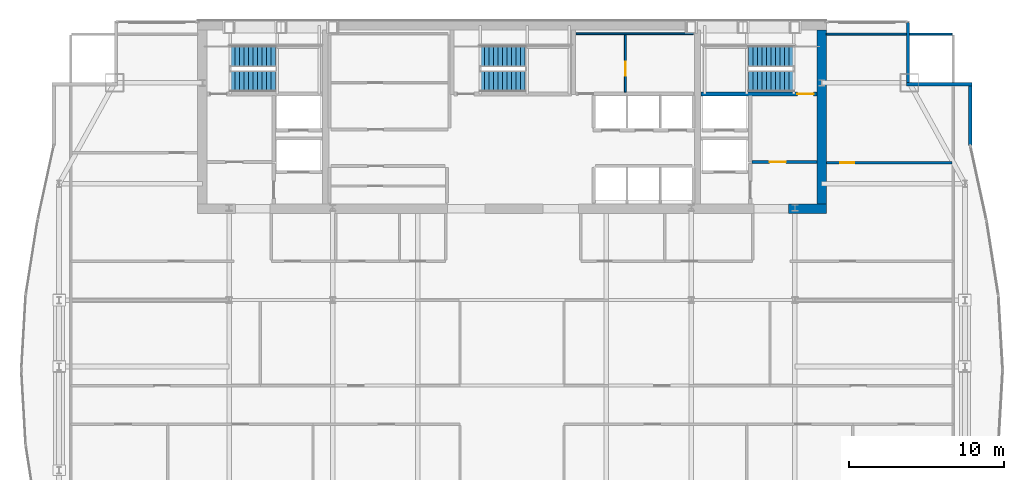
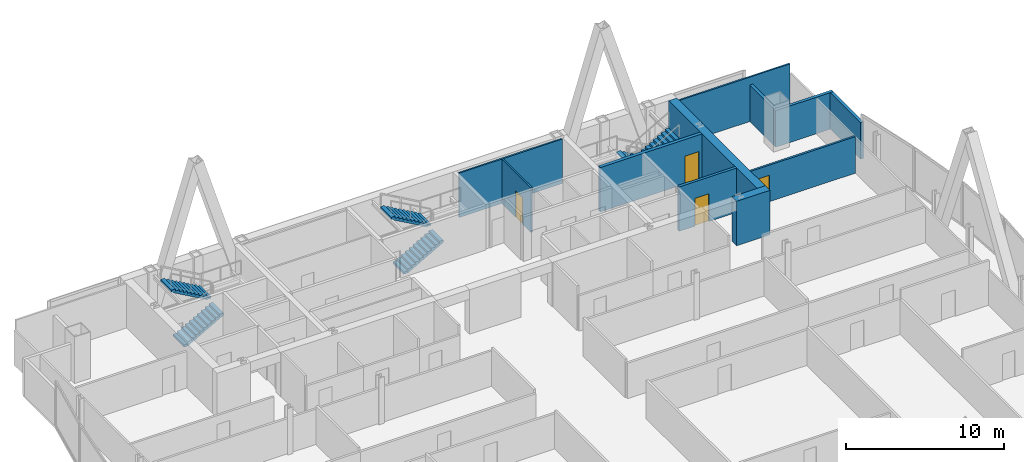
# One storey, part 31 of 33: 11 walls, 6 stair flights, 4 doors, 4 openings, 3 elements without a shape of their own.
"""IFC4 building model written with IfcOpenShell, lengths in metres."""

from ifc_helpers import new_model, si_unit, direction, frame, frame_2d, origin, place, context, subcontext, project, spatial, polyline, rectangle, outline, extrude, material, layer, layer_set, type_object, element, fill, aggregate, save


model = new_model("IFC4")

# Units and contexts
model_context = context("Model", 3, precision=1e-05, world=origin(), true_north=direction((0.0, 1.0)))
body_context = subcontext(model_context, "Body", "Model", "MODEL_VIEW")
ifc_project = project(units=[si_unit("LENGTHUNIT", "METRE"), si_unit("AREAUNIT", "SQUARE_METRE"), si_unit("VOLUMEUNIT", "CUBIC_METRE"), si_unit("PLANEANGLEUNIT", "RADIAN"), si_unit("MASSUNIT", "GRAM", prefix="KILO")], contexts=[model_context])

# Site, building, storey
site_placement = place(None, origin())
site = spatial("IfcSite", under=ifc_project, at=site_placement, CompositionType="ELEMENT")
building_placement = place(site_placement, origin())
building = spatial("IfcBuilding", under=site, at=building_placement, Name="Khoronbel Lancet Exchange", CompositionType="ELEMENT")
storey_placement = place(building_placement, frame((0.0, 0.0, 210.199951171875)))
storey = spatial("IfcBuildingStorey", under=building, at=storey_placement, Name="L53", CompositionType="ELEMENT", Elevation=210.199951171875)

# Walls
ifc_material_1 = material(Name="Concrete C60/75", Category="concrete")
ifc_layer_1 = layer(ifc_material_1, 0.60009765625, Name="Concrete C60/75")
ifc_layer_set_1 = layer_set([ifc_layer_1], Name="Concrete C60/75")
wall_type_1 = type_object("IfcWallType", Name="WL-CW3", PredefinedType="SHEAR", material=ifc_layer_set_1)
wall_1_placement = place(storey_placement, frame((56.39990234375, 53.10009765625, 0.0), z_axis=(0.0, 0.0, 1.0), x_axis=(0.0, -1.0, 0.0)))
element("IfcWall", 1, at=wall_1_placement, inside=storey, type_object=wall_type_1, Name="Level L53 rear core east shear wall", PredefinedType="SHEAR", context=body_context, shape_type="SweptSolid", body=[
    extrude(rectangle(XDim=11.2001953125, YDim=0.60009765625, at=frame_2d((5.60009765625, 0.0))), origin(), (0.0, 0.0, 1.0), 3.43994140625),
])
wall_2_placement = place(storey_placement, frame((56.699951171875, 41.60009765625, 0.0), z_axis=(0.0, 0.0, 1.0), x_axis=(-1.0, 0.0, 0.0)))
element("IfcWall", 2, at=wall_2_placement, inside=storey, type_object=wall_type_1, Name="Level L53 rear core south shear wall pier P5", PredefinedType="SHEAR", context=body_context, shape_type="SweptSolid", body=[
    extrude(rectangle(XDim=2.449951171875, YDim=0.60009765625, at=frame_2d((1.22509765625, 0.0))), origin(), (0.0, 0.0, 1.0), 3.43994140625),
])
ifc_material_2 = material(Name="Precast concrete C40/50", Category="concrete")
ifc_layer_2 = layer(ifc_material_2, 0.25, Name="Precast concrete C40/50")
ifc_layer_set_2 = layer_set([ifc_layer_2], Name="Precast concrete C40/50")
wall_type_2 = type_object("IfcWallType", Name="WL-EXT250", PredefinedType="SOLIDWALL", material=ifc_layer_set_2)
wall_3_placement = place(storey_placement, frame((61.9599609375, 53.6298828125, 0.0), z_axis=(0.0, 0.0, 1.0), x_axis=(0.0, -1.0, 0.0)))
element("IfcWall", 3, at=wall_3_placement, inside=storey, type_object=wall_type_2, Name="Level L53 notched-corner limestone pier 14", PredefinedType="SOLIDWALL", context=body_context, shape_type="SweptSolid", body=[
    extrude(rectangle(XDim=3.909912109375, YDim=0.219970703125, at=frame_2d((1.955078125, 0.0))), origin(), (0.0, 0.0, 1.0), 2.830078125),
])
wall_4_placement = place(storey_placement, frame((61.85009765625, 49.610107421875, 0.0), z_axis=(0.0, 0.0, 1.0), x_axis=(1.0, 0.0, 0.0)))
element("IfcWall", 4, at=wall_4_placement, inside=storey, type_object=wall_type_2, Name="Level L53 notched-corner limestone pier 15", PredefinedType="SOLIDWALL", context=body_context, shape_type="SweptSolid", body=[
    extrude(rectangle(XDim=4.219970703125, YDim=0.219970703125, at=frame_2d((2.10986328125, 0.0))), origin(), (0.0, 0.0, 1.0), 2.830078125),
])
wall_5_placement = place(storey_placement, frame((65.9599609375, 49.5, 0.0), z_axis=(0.0, 0.0, 1.0), x_axis=(0.0, -1.0, 0.0)))
element("IfcWall", 5, at=wall_5_placement, inside=storey, type_object=wall_type_2, Name="Level L53 notched-corner limestone pier 16", PredefinedType="SOLIDWALL", context=body_context, shape_type="SweptSolid", body=[
    extrude(rectangle(XDim=3.82958984375, YDim=0.219970703125, at=frame_2d((1.914794921875, 0.0))), origin(), (0.0, 0.0, 1.0), 2.830078125),
])

# Wall, opening, door
ifc_material_3 = material(Name="Acoustic Metal-Stud & Mineral-Wool Gypsum Partition 120 mm", Category="gypsum")
ifc_layer_3 = layer(ifc_material_3, 0.1201171875, Name="Acoustic Metal-Stud & Mineral-Wool Gypsum Partition 120 mm")
ifc_layer_set_3 = layer_set([ifc_layer_3], Name="Acoustic Metal-Stud & Mineral-Wool Gypsum Partition 120 mm")
wall_type_3 = type_object("IfcWallType", Name="WL-PRT120", PredefinedType="PARTITIONING", material=ifc_layer_set_3)
wall_6_placement = place(storey_placement, frame((56.699951171875, 44.56005859375, 0.0), z_axis=(0.0, 0.0, 1.0), x_axis=(1.0, 0.0, 0.0)))
wall_6 = element("IfcWall", 6, at=wall_6_placement, inside=storey, type_object=wall_type_3, Name="Level L53 interior partition PW-NE-H", PredefinedType="PARTITIONING", context=body_context, shape_type="SweptSolid", body=[
    extrude(rectangle(XDim=8.10498046875, YDim=0.14990234375, at=frame_2d((4.052490234375, 0.0))), origin(), (0.0, 0.0, 1.0), 2.830078125),
])
opening_1_placement = place(wall_6_placement, frame((0.89990234375, 0.0, 0.0)))
opening_1 = element("IfcOpeningElement", 7, at=opening_1_placement, cuts=wall_6, Name="Opening D5", PredefinedType="OPENING", context=body_context, shape_type="SweptSolid", body=[
    extrude(rectangle(XDim=0.89990234375, YDim=2.050048828125, at=frame_2d((0.449951171875, 1.02490234375))), frame((0.0, 0.0849609375, 0.0), z_axis=(0.0, -1.0, 0.0), x_axis=(1.0, 0.0, 0.0)), (0.0, 0.0, 1.0), 0.169921875),
])
ifc_material_4 = material(Name="Acoustic Timber Pantry & Support Door", Category="wood")
door_type_1 = type_object("IfcDoorType", Name="DR-D5", OperationType="NOTDEFINED", PredefinedType="DOOR", material=ifc_material_4)
door_1_placement = place(opening_1_placement, origin())
door_1 = element("IfcDoor", 8, at=door_1_placement, inside=storey, type_object=door_type_1, Name="NE north room door L53-1", OperationType="SINGLE_SWING_RIGHT", OverallHeight=2.050048828125, OverallWidth=0.89990234375, PredefinedType="DOOR", context=body_context, shape_type="SweptSolid", body=[
    extrude(rectangle(XDim=0.89990234375, YDim=2.050048828125, at=frame_2d((0.449951171875, 1.02490234375))), frame((0.0, 0.02490234375, 0.0), z_axis=(0.0, -1.0, 0.0), x_axis=(1.0, 0.0, 0.0)), (0.0, 0.0, 1.0), 0.050048828125),
])
fill(opening_1, door_1)

# Walls
wall_7_placement = place(storey_placement, frame((56.699951171875, 52.840087890625, 0.0), z_axis=(0.0, 0.0, 1.0), x_axis=(1.0, 0.0, 0.0)))
element("IfcWall", 9, at=wall_7_placement, inside=storey, type_object=wall_type_3, Name="Level L53 interior partition PW-LIN-NE", PredefinedType="PARTITIONING", context=body_context, shape_type="SweptSolid", body=[
    extrude(rectangle(XDim=8.10498046875, YDim=0.1201171875, at=frame_2d((4.052490234375, 0.0))), origin(), (0.0, 0.0, 1.0), 3.43994140625),
])
ifc_material_5 = material(Name="Fire-Rated Metal-Stud & Mineral-Wool Gypsum Partition 120 mm", Category="gypsum")
ifc_layer_4 = layer(ifc_material_5, 0.1201171875, Name="Fire-Rated Metal-Stud & Mineral-Wool Gypsum Partition 120 mm")
ifc_layer_set_4 = layer_set([ifc_layer_4], Name="Fire-Rated Metal-Stud & Mineral-Wool Gypsum Partition 120 mm")
wall_type_4 = type_object("IfcWallType", Name="WL-PRT120F", PredefinedType="PARTITIONING", material=ifc_layer_set_4)
wall_8_placement = place(storey_placement, frame((40.580078125, 52.860107421875, 0.0), z_axis=(0.0, 0.0, 1.0), x_axis=(1.0, 0.0, 0.0)))
element("IfcWall", 10, at=wall_8_placement, inside=storey, type_object=wall_type_4, Name="Level L53 interior partition CW-SUP-NE-N", PredefinedType="PARTITIONING", context=body_context, shape_type="SweptSolid", body=[
    extrude(rectangle(XDim=7.559814453125, YDim=0.1201171875, at=frame_2d((3.77978515625, 0.0))), origin(), (0.0, 0.0, 1.0), 3.43994140625),
])

# Wall, opening, door
wall_9_placement = place(storey_placement, frame((43.755126953125, 49.10498046875, 0.0), z_axis=(0.0, 0.0, 1.0), x_axis=(0.0, 1.0, 0.0)))
wall_9 = element("IfcWall", 11, at=wall_9_placement, inside=storey, type_object=wall_type_4, Name="Level L53 interior partition CW-SUP-NE-M", PredefinedType="PARTITIONING", context=body_context, shape_type="SweptSolid", body=[
    extrude(rectangle(XDim=3.68994140625, YDim=0.1201171875, at=frame_2d((1.844970703125, 0.0))), origin(), (0.0, 0.0, 1.0), 3.43994140625),
])
opening_2_placement = place(wall_9_placement, frame((1.050048828125, 0.0, 0.0)))
opening_2 = element("IfcOpeningElement", 12, at=opening_2_placement, cuts=wall_9, Name="Opening FD4", PredefinedType="OPENING", context=body_context, shape_type="SweptSolid", body=[
    extrude(rectangle(XDim=0.89990234375, YDim=2.050048828125, at=frame_2d((0.449951171875, 1.02490234375))), frame((0.0, 0.070068359375, 0.0), z_axis=(0.0, -1.0, 0.0), x_axis=(1.0, 0.0, 0.0)), (0.0, 0.0, 1.0), 0.14013671875),
])
ifc_material_6 = material(Name="Fire-Rated Steel Core Support Door Assembly", Category="steel")
door_type_2 = type_object("IfcDoorType", Name="DR-FD4", OperationType="NOTDEFINED", PredefinedType="DOOR", material=ifc_material_6)
door_2_placement = place(opening_2_placement, origin())
door_2 = element("IfcDoor", 13, at=door_2_placement, inside=storey, type_object=door_type_2, Name="Core NE inner support door L53-1", OperationType="SINGLE_SWING_LEFT", OverallHeight=2.050048828125, OverallWidth=0.89990234375, PredefinedType="DOOR", context=body_context, shape_type="SweptSolid", body=[
    extrude(rectangle(XDim=0.89990234375, YDim=2.050048828125, at=frame_2d((0.449951171875, 1.02490234375))), frame((0.0, 0.02490234375, 0.0), z_axis=(0.0, -1.0, 0.0), x_axis=(1.0, 0.0, 0.0)), (0.0, 0.0, 1.0), 0.050048828125),
])
fill(opening_2, door_2)

ifc_material_7 = material(Name="Autoclaved Aerated Concrete Blockwork 200 mm", Category="masonry")
ifc_layer_5 = layer(ifc_material_7, 0.199951171875, Name="Autoclaved Aerated Concrete Blockwork 200 mm")
ifc_layer_set_5 = layer_set([ifc_layer_5], Name="Autoclaved Aerated Concrete Blockwork 200 mm")
wall_type_5 = type_object("IfcWallType", Name="WL-PRT200", PredefinedType="PARTITIONING", material=ifc_layer_set_5)
wall_10_placement = place(storey_placement, frame((51.89990234375, 44.60009765625, 0.0), z_axis=(0.0, 0.0, 1.0), x_axis=(1.0, 0.0, 0.0)))
wall_10 = element("IfcWall", 14, at=wall_10_placement, inside=storey, type_object=wall_type_5, Name="Level L53 interior partition CW-FFLE-S", PredefinedType="PARTITIONING", context=body_context, shape_type="SweptSolid", body=[
    extrude(rectangle(XDim=4.2001953125, YDim=0.199951171875, at=frame_2d((2.10009765625, 0.0))), origin(), (0.0, 0.0, 1.0), 3.43994140625),
])
opening_3_placement = place(wall_10_placement, frame((1.14990234375, 0.0, 0.0)))
opening_3 = element("IfcOpeningElement", 15, at=opening_3_placement, cuts=wall_10, Name="Opening FD1", PredefinedType="OPENING", context=body_context, shape_type="SweptSolid", body=[
    extrude(rectangle(XDim=1.050048828125, YDim=2.14990234375, at=frame_2d((0.52490234375, 1.074951171875))), frame((0.0, 0.10986328125, 0.0), z_axis=(0.0, -1.0, 0.0), x_axis=(1.0, 0.0, 0.0)), (0.0, 0.0, 1.0), 0.219970703125),
])
ifc_material_8 = material(Name="Fire-Rated Painted Steel Door Assembly", Category="steel")
door_type_3 = type_object("IfcDoorType", Name="DR-FD1", OperationType="NOTDEFINED", PredefinedType="DOOR", material=ifc_material_8)
door_3_placement = place(opening_3_placement, origin())
door_3 = element("IfcDoor", 16, at=door_3_placement, inside=storey, type_object=door_type_3, Name="East firefighting lobby FD90S door L53-1", OperationType="SINGLE_SWING_RIGHT", OverallHeight=2.14990234375, OverallWidth=1.050048828125, PredefinedType="DOOR", context=body_context, shape_type="SweptSolid", body=[
    extrude(rectangle(XDim=1.050048828125, YDim=2.14990234375, at=frame_2d((0.52490234375, 1.074951171875))), frame((0.0, 0.02490234375, 0.0), z_axis=(0.0, -1.0, 0.0), x_axis=(1.0, 0.0, 0.0)), (0.0, 0.0, 1.0), 0.050048828125),
])
fill(opening_3, door_3)

ifc_layer_6 = layer(ifc_material_1, 0.260009765625, Name="Concrete C60/75")
ifc_layer_set_6 = layer_set([ifc_layer_6], Name="Concrete C60/75")
wall_type_6 = type_object("IfcWallType", Name="WL-SW3", PredefinedType="SHEAR", material=ifc_layer_set_6)
wall_11_placement = place(storey_placement, frame((48.6298828125, 48.97998046875, 0.0), z_axis=(0.0, 0.0, 1.0), x_axis=(1.0, 0.0, 0.0)))
wall_11 = element("IfcWall", 17, at=wall_11_placement, inside=storey, type_object=wall_type_6, Name="Level L53 east stairwell structural south wall", PredefinedType="SHEAR", context=body_context, shape_type="SweptSolid", body=[
    extrude(rectangle(XDim=7.47021484375, YDim=0.239990234375, at=frame_2d((3.735107421875, 0.0))), origin(), (0.0, 0.0, 1.0), 3.43994140625),
])
opening_4_placement = place(wall_11_placement, frame((6.199951171875, 0.0, 0.0)))
opening_4 = element("IfcOpeningElement", 18, at=opening_4_placement, cuts=wall_11, Name="Opening SD1", PredefinedType="OPENING", context=body_context, shape_type="SweptSolid", body=[
    extrude(rectangle(XDim=1.050048828125, YDim=2.14990234375, at=frame_2d((0.52490234375, 1.074951171875))), frame((0.0, 0.1298828125, 0.0), z_axis=(0.0, -1.0, 0.0), x_axis=(1.0, 0.0, 0.0)), (0.0, 0.0, 1.0), 0.260009765625),
])
ifc_material_9 = material(Name="Fire-Rated Steel Stairwell Door Assembly", Category="steel")
door_type_4 = type_object("IfcDoorType", Name="DR-SD1", OperationType="NOTDEFINED", PredefinedType="DOOR", material=ifc_material_9)
door_4_placement = place(opening_4_placement, origin())
door_4 = element("IfcDoor", 19, at=door_4_placement, inside=storey, type_object=door_type_4, Name="Protected exit stair ST2 door L53", OperationType="SINGLE_SWING_RIGHT", OverallHeight=2.14990234375, OverallWidth=1.050048828125, PredefinedType="DOOR", context=body_context, shape_type="SweptSolid", body=[
    extrude(rectangle(XDim=1.050048828125, YDim=2.14990234375, at=frame_2d((0.52490234375, 1.074951171875))), frame((0.0, 0.02490234375, 0.0), z_axis=(0.0, -1.0, 0.0), x_axis=(1.0, 0.0, 0.0)), (0.0, 0.0, 1.0), 0.050048828125),
])
fill(opening_4, door_4)

# Stair, stair flights
ifc_material_10 = material(Name="Concrete C40/50", Category="concrete")
stair_type = type_object("IfcStairType", Name="STR-CORE150", PredefinedType="HALF_TURN_STAIR", material=ifc_material_10)
stair_1_placement = place(storey_placement, origin())
stair_1 = element("IfcStair", 20, at=stair_1_placement, inside=storey, type_object=stair_type, Name="L53 Protected Exit Stair ST1", PredefinedType="HALF_TURN_STAIR")
stair_flight_type = type_object("IfcStairFlightType", Name="STF-150", PredefinedType="STRAIGHT", material=ifc_material_10)
stair_flight_1_placement = place(storey_placement, frame((18.300048828125, 49.81005859375, 0.0), z_axis=(0.0, 0.0, 1.0), x_axis=(1.0, 0.0, 0.0)))
stair_flight_1 = element("IfcStairFlight", 21, at=stair_flight_1_placement, type_object=stair_flight_type, Name="ST1 flight 1", NumberOfRisers=11, NumberOfTreads=10, PredefinedType="STRAIGHT", RiserHeight=0.163636364, TreadLength=0.29, context=body_context, shape_type="SweptSolid", body=[
    extrude(outline(polyline([(0.0, 0.0), (0.0, 0.16357421875), (0.2900390625, 0.16357421875), (0.2900390625, 0.327392578125), (0.580078125, 0.327392578125), (0.580078125, 0.490966796875), (0.8701171875, 0.490966796875), (0.8701171875, 0.654541015625), (1.159912109375, 0.654541015625), (1.159912109375, 0.818115234375), (1.449951171875, 0.818115234375), (1.449951171875, 0.98193359375), (1.739990234375, 0.98193359375), (1.739990234375, 1.1455078125), (2.030029296875, 1.1455078125), (2.030029296875, 1.30908203125), (2.320068359375, 1.30908203125), (2.320068359375, 1.47265625), (2.610107421875, 1.47265625), (2.610107421875, 1.636474609375), (2.89990234375, 1.636474609375), (2.89990234375, 1.800048828125), (2.89990234375, 1.46435546875), (0.304931640625, 0.0), (0.0, 0.0)])), frame((0.0, 0.68994140625, 0.0), z_axis=(0.0, -1.0, 0.0), x_axis=(1.0, 0.0, 0.0)), (0.0, 0.0, 1.0), 1.3798828125),
])
stair_flight_2_placement = place(storey_placement, frame((21.199951171875, 51.409912109375, 1.800048828125), z_axis=(0.0, 0.0, 1.0), x_axis=(-1.0, 0.0, 0.0)))
stair_flight_2 = element("IfcStairFlight", 22, at=stair_flight_2_placement, type_object=stair_flight_type, Name="ST1 flight 2", NumberOfRisers=11, NumberOfTreads=10, PredefinedType="STRAIGHT", RiserHeight=0.163636364, TreadLength=0.29, context=body_context, shape_type="SweptSolid", body=[
    extrude(outline(polyline([(0.0, 0.0), (0.0, 0.16357421875), (0.2900390625, 0.16357421875), (0.2900390625, 0.327392578125), (0.580078125, 0.327392578125), (0.580078125, 0.490966796875), (0.8701171875, 0.490966796875), (0.8701171875, 0.654541015625), (1.159912109375, 0.654541015625), (1.159912109375, 0.818115234375), (1.449951171875, 0.818115234375), (1.449951171875, 0.98193359375), (1.739990234375, 0.98193359375), (1.739990234375, 1.1455078125), (2.030029296875, 1.1455078125), (2.030029296875, 1.30908203125), (2.320068359375, 1.30908203125), (2.320068359375, 1.47265625), (2.610107421875, 1.47265625), (2.610107421875, 1.636474609375), (2.89990234375, 1.636474609375), (2.89990234375, 1.800048828125), (2.89990234375, 1.46435546875), (0.304931640625, 0.0), (0.0, 0.0)])), frame((0.0, 0.68994140625, 0.0), z_axis=(0.0, -1.0, 0.0), x_axis=(1.0, 0.0, 0.0)), (0.0, 0.0, 1.0), 1.3798828125),
])
aggregate(stair_1, [stair_flight_1, stair_flight_2])

stair_2_placement = place(storey_placement, origin())
stair_2 = element("IfcStair", 23, at=stair_2_placement, inside=storey, type_object=stair_type, Name="L53 Protected Exit Stair ST2", PredefinedType="HALF_TURN_STAIR")
stair_flight_3_placement = place(storey_placement, frame((54.60009765625, 51.409912109375, 0.0), z_axis=(0.0, 0.0, 1.0), x_axis=(-1.0, 0.0, 0.0)))
stair_flight_3 = element("IfcStairFlight", 24, at=stair_flight_3_placement, type_object=stair_flight_type, Name="ST2 flight 1", NumberOfRisers=11, NumberOfTreads=10, PredefinedType="STRAIGHT", RiserHeight=0.163636364, TreadLength=0.29, context=body_context, shape_type="SweptSolid", body=[
    extrude(outline(polyline([(0.0, 0.0), (0.0, 0.16357421875), (0.2900390625, 0.16357421875), (0.2900390625, 0.327392578125), (0.580078125, 0.327392578125), (0.580078125, 0.490966796875), (0.8701171875, 0.490966796875), (0.8701171875, 0.654541015625), (1.159912109375, 0.654541015625), (1.159912109375, 0.818115234375), (1.449951171875, 0.818115234375), (1.449951171875, 0.98193359375), (1.739990234375, 0.98193359375), (1.739990234375, 1.1455078125), (2.030029296875, 1.1455078125), (2.030029296875, 1.30908203125), (2.320068359375, 1.30908203125), (2.320068359375, 1.47265625), (2.610107421875, 1.47265625), (2.610107421875, 1.636474609375), (2.89990234375, 1.636474609375), (2.89990234375, 1.800048828125), (2.89990234375, 1.46435546875), (0.304931640625, 0.0), (0.0, 0.0)])), frame((0.0, 0.68994140625, 0.0), z_axis=(0.0, -1.0, 0.0), x_axis=(1.0, 0.0, 0.0)), (0.0, 0.0, 1.0), 1.3798828125),
])
stair_flight_4_placement = place(storey_placement, frame((51.699951171875, 49.81005859375, 1.800048828125), z_axis=(0.0, 0.0, 1.0), x_axis=(1.0, 0.0, 0.0)))
stair_flight_4 = element("IfcStairFlight", 25, at=stair_flight_4_placement, type_object=stair_flight_type, Name="ST2 flight 2", NumberOfRisers=11, NumberOfTreads=10, PredefinedType="STRAIGHT", RiserHeight=0.163636364, TreadLength=0.29, context=body_context, shape_type="SweptSolid", body=[
    extrude(outline(polyline([(0.0, 0.0), (0.0, 0.16357421875), (0.2900390625, 0.16357421875), (0.2900390625, 0.327392578125), (0.580078125, 0.327392578125), (0.580078125, 0.490966796875), (0.8701171875, 0.490966796875), (0.8701171875, 0.654541015625), (1.159912109375, 0.654541015625), (1.159912109375, 0.818115234375), (1.449951171875, 0.818115234375), (1.449951171875, 0.98193359375), (1.739990234375, 0.98193359375), (1.739990234375, 1.1455078125), (2.030029296875, 1.1455078125), (2.030029296875, 1.30908203125), (2.320068359375, 1.30908203125), (2.320068359375, 1.47265625), (2.610107421875, 1.47265625), (2.610107421875, 1.636474609375), (2.89990234375, 1.636474609375), (2.89990234375, 1.800048828125), (2.89990234375, 1.46435546875), (0.304931640625, 0.0), (0.0, 0.0)])), frame((0.0, 0.68994140625, 0.0), z_axis=(0.0, -1.0, 0.0), x_axis=(1.0, 0.0, 0.0)), (0.0, 0.0, 1.0), 1.3798828125),
])
aggregate(stair_2, [stair_flight_3, stair_flight_4])

stair_3_placement = place(storey_placement, origin())
stair_3 = element("IfcStair", 26, at=stair_3_placement, inside=storey, type_object=stair_type, Name="L53 Protected Exit Stair ST3", PredefinedType="HALF_TURN_STAIR")
stair_flight_5_placement = place(storey_placement, frame((34.39990234375, 49.81005859375, 0.0), z_axis=(0.0, 0.0, 1.0), x_axis=(1.0, 0.0, 0.0)))
stair_flight_5 = element("IfcStairFlight", 27, at=stair_flight_5_placement, type_object=stair_flight_type, Name="ST3 flight 1", NumberOfRisers=11, NumberOfTreads=10, PredefinedType="STRAIGHT", RiserHeight=0.163636364, TreadLength=0.29, context=body_context, shape_type="SweptSolid", body=[
    extrude(outline(polyline([(0.0, 0.0), (0.0, 0.16357421875), (0.2900390625, 0.16357421875), (0.2900390625, 0.327392578125), (0.580078125, 0.327392578125), (0.580078125, 0.490966796875), (0.8701171875, 0.490966796875), (0.8701171875, 0.654541015625), (1.159912109375, 0.654541015625), (1.159912109375, 0.818115234375), (1.449951171875, 0.818115234375), (1.449951171875, 0.98193359375), (1.739990234375, 0.98193359375), (1.739990234375, 1.1455078125), (2.030029296875, 1.1455078125), (2.030029296875, 1.30908203125), (2.320068359375, 1.30908203125), (2.320068359375, 1.47265625), (2.610107421875, 1.47265625), (2.610107421875, 1.636474609375), (2.89990234375, 1.636474609375), (2.89990234375, 1.800048828125), (2.89990234375, 1.46435546875), (0.304931640625, 0.0), (0.0, 0.0)])), frame((0.0, 0.68994140625, 0.0), z_axis=(0.0, -1.0, 0.0), x_axis=(1.0, 0.0, 0.0)), (0.0, 0.0, 1.0), 1.3798828125),
])
stair_flight_6_placement = place(storey_placement, frame((37.300048828125, 51.409912109375, 1.800048828125), z_axis=(0.0, 0.0, 1.0), x_axis=(-1.0, 0.0, 0.0)))
stair_flight_6 = element("IfcStairFlight", 28, at=stair_flight_6_placement, type_object=stair_flight_type, Name="ST3 flight 2", NumberOfRisers=11, NumberOfTreads=10, PredefinedType="STRAIGHT", RiserHeight=0.163636364, TreadLength=0.29, context=body_context, shape_type="SweptSolid", body=[
    extrude(outline(polyline([(0.0, 0.0), (0.0, 0.16357421875), (0.2900390625, 0.16357421875), (0.2900390625, 0.327392578125), (0.580078125, 0.327392578125), (0.580078125, 0.490966796875), (0.8701171875, 0.490966796875), (0.8701171875, 0.654541015625), (1.159912109375, 0.654541015625), (1.159912109375, 0.818115234375), (1.449951171875, 0.818115234375), (1.449951171875, 0.98193359375), (1.739990234375, 0.98193359375), (1.739990234375, 1.1455078125), (2.030029296875, 1.1455078125), (2.030029296875, 1.30908203125), (2.320068359375, 1.30908203125), (2.320068359375, 1.47265625), (2.610107421875, 1.47265625), (2.610107421875, 1.636474609375), (2.89990234375, 1.636474609375), (2.89990234375, 1.800048828125), (2.89990234375, 1.46435546875), (0.304931640625, 0.0), (0.0, 0.0)])), frame((0.0, 0.68994140625, 0.0), z_axis=(0.0, -1.0, 0.0), x_axis=(1.0, 0.0, 0.0)), (0.0, 0.0, 1.0), 1.3798828125),
])
aggregate(stair_3, [stair_flight_5, stair_flight_6])

save(model, "model.ifc")
